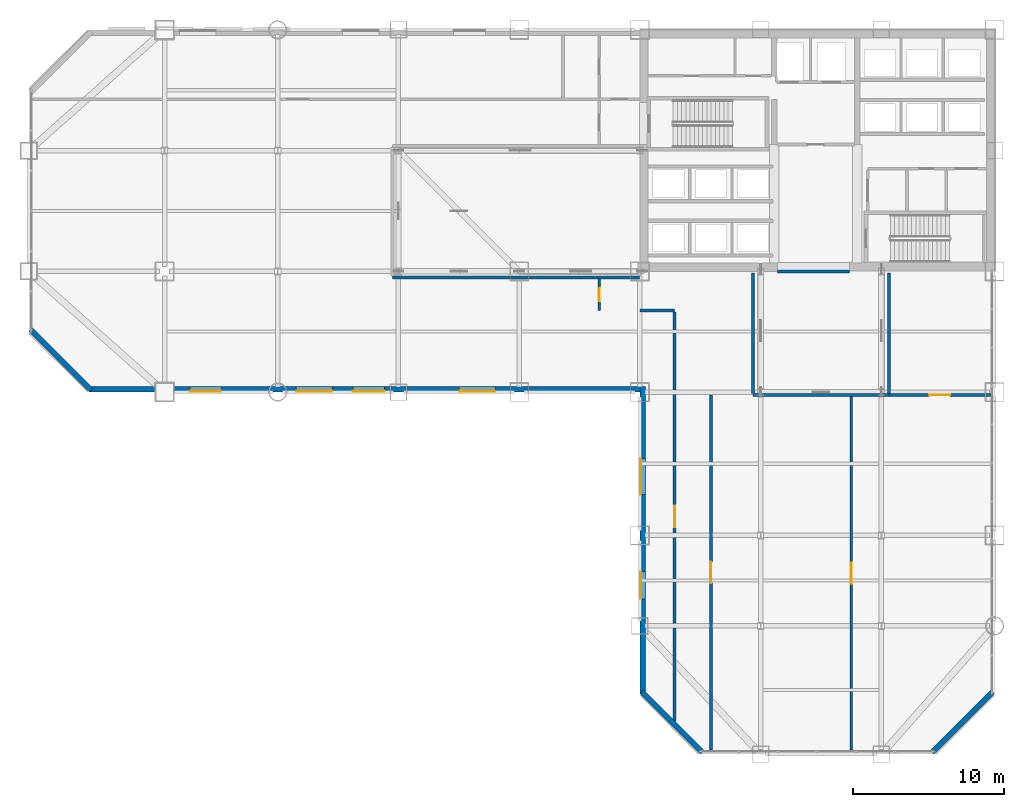
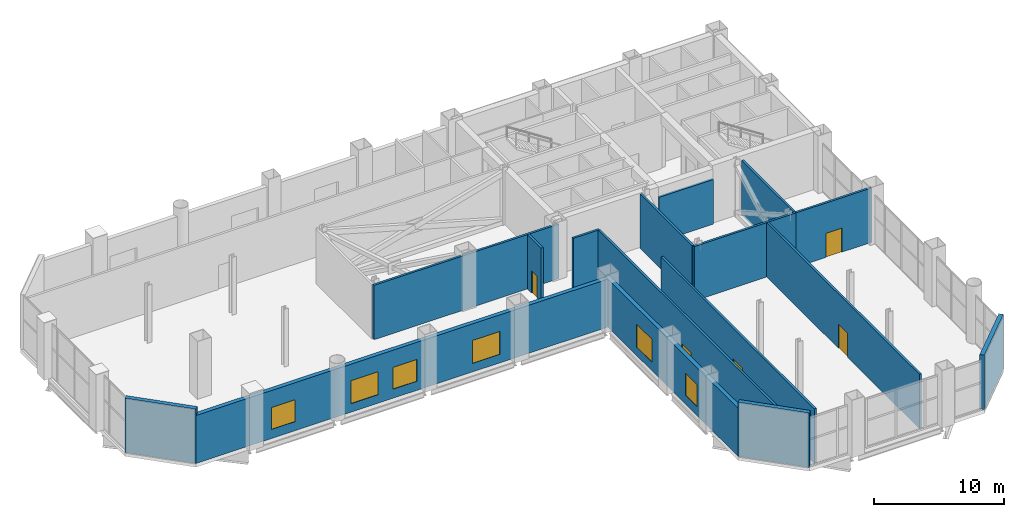
# One storey, part 22 of 26: 16 walls, 6 windows, 5 doors, 11 openings.
"""IFC4 building model written with IfcOpenShell, lengths in metres."""

from ifc_helpers import new_model, si_unit, direction, frame, frame_2d, origin, place, context, subcontext, project, spatial, rectangle, extrude, material, layer, layer_set, type_object, element, fill, save


model = new_model("IFC4")

# Units and contexts
model_context = context("Model", 3, precision=1e-05, world=origin(), true_north=direction((0.0, 1.0)))
body_context = subcontext(model_context, "Body", "Model", "MODEL_VIEW")
ifc_project = project(units=[si_unit("LENGTHUNIT", "METRE"), si_unit("AREAUNIT", "SQUARE_METRE"), si_unit("VOLUMEUNIT", "CUBIC_METRE"), si_unit("PLANEANGLEUNIT", "RADIAN"), si_unit("MASSUNIT", "GRAM", prefix="KILO")], contexts=[model_context])

# Site, building, storey
site_placement = place(None, origin())
site = spatial("IfcSite", under=ifc_project, at=site_placement, CompositionType="ELEMENT")
building_placement = place(site_placement, origin())
building = spatial("IfcBuilding", under=site, at=building_placement, Name="Qianrong Seaharbour Tower", CompositionType="ELEMENT")
storey_placement = place(building_placement, frame((0.0, 0.0, 108.199951171875)))
storey = spatial("IfcBuildingStorey", under=building, at=storey_placement, Name="L26", CompositionType="ELEMENT", Elevation=108.199951171875)

# Wall, openings, windows
ifc_material_1 = material(Name="Unitised red brick on Precast concrete C45/55", Category="masonry")
ifc_layer_1 = layer(ifc_material_1, 0.360107421875)
ifc_layer_set_1 = layer_set([ifc_layer_1], Name="Unitised red brick on Precast concrete C45/55")
wall_type_1 = type_object("IfcWallType", Name="WALL-EXT-BRICK-RED-360", PredefinedType="SOLIDWALL", material=ifc_layer_set_1)
wall_1_placement = place(storey_placement, frame((40.679931640625, 8.0, 0.0), z_axis=(0.0, 0.0, 1.0), x_axis=(0.0, 1.0, 0.0)))
wall_1 = element("IfcWall", 1, at=wall_1_placement, inside=storey, type_object=wall_type_1, Name="L26 Exterior Masonry Facade Wall REENTRANT_WEST", PredefinedType="SOLIDWALL", context=body_context, shape_type="SweptSolid", body=[
    extrude(rectangle(XDim=20.360107421875, YDim=0.360107421875, at=frame_2d((10.18017578125, 0.0))), origin(), (0.0, 0.0, 1.0), 4.5),
])
opening_1_placement = place(wall_1_placement, frame((6.300048828125, 0.0, 0.85009765625)))
opening_1 = element("IfcOpeningElement", 2, at=opening_1_placement, cuts=wall_1, Name="Opening WN-05", PredefinedType="OPENING", context=body_context, shape_type="SweptSolid", body=[
    extrude(rectangle(XDim=1.800048828125, YDim=2.050048828125, at=frame_2d((0.89990234375, 1.02490234375))), frame((0.0, 0.18994140625, 0.0), z_axis=(0.0, -1.0, 0.0), x_axis=(1.0, 0.0, 0.0)), (0.0, 0.0, 1.0), 0.380126953125),
])
opening_2_placement = place(wall_1_placement, frame((13.199951171875, 0.0, 0.800048828125)))
opening_2 = element("IfcOpeningElement", 3, at=opening_2_placement, cuts=wall_1, Name="Opening WN-07", PredefinedType="OPENING", context=body_context, shape_type="SweptSolid", body=[
    extrude(rectangle(XDim=2.39990234375, YDim=2.14990234375, at=frame_2d((1.199951171875, 1.074951171875))), frame((0.0, 0.18994140625, 0.0), z_axis=(0.0, -1.0, 0.0), x_axis=(1.0, 0.0, 0.0)), (0.0, 0.0, 1.0), 0.380126953125),
])
ifc_material_2 = material(Name="Insulated low-e double glazing in thermally broken aluminium 6063-T6 frame", Category="aluminium")
window_type_1 = type_object("IfcWindowType", Name="WIN-PUNCH-1800x2050", PartitioningType="TRIPLE_PANEL_VERTICAL", PredefinedType="WINDOW", material=ifc_material_2)
window_1_placement = place(opening_1_placement, origin())
window_1 = element("IfcWindow", 4, at=window_1_placement, inside=storey, type_object=window_type_1, Name="L26 Deep-Set Punched Window 00.02", OverallHeight=2.050048828125, OverallWidth=1.800048828125, PartitioningType="TRIPLE_PANEL_VERTICAL", PredefinedType="WINDOW", context=body_context, shape_type="SweptSolid", body=[
    extrude(rectangle(XDim=1.800048828125, YDim=2.050048828125, at=frame_2d((0.89990234375, 1.02490234375))), frame((0.0, 0.150146484375, 0.0), z_axis=(0.0, -1.0, 0.0), x_axis=(1.0, 0.0, 0.0)), (0.0, 0.0, 1.0), 0.06005859375),
])
fill(opening_1, window_1)
window_type_2 = type_object("IfcWindowType", Name="WIN-PUNCH-2400x2150", PartitioningType="TRIPLE_PANEL_VERTICAL", PredefinedType="WINDOW", material=ifc_material_2)
window_2_placement = place(opening_2_placement, origin())
window_2 = element("IfcWindow", 5, at=window_2_placement, inside=storey, type_object=window_type_2, Name="L26 Deep-Set Punched Window 00.04", OverallHeight=2.14990234375, OverallWidth=2.39990234375, PartitioningType="TRIPLE_PANEL_VERTICAL", PredefinedType="WINDOW", context=body_context, shape_type="SweptSolid", body=[
    extrude(rectangle(XDim=2.39990234375, YDim=2.14990234375, at=frame_2d((1.199951171875, 1.074951171875))), frame((0.0, 0.150146484375, 0.0), z_axis=(0.0, -1.0, 0.0), x_axis=(1.0, 0.0, 0.0)), (0.0, 0.0, 1.0), 0.06005859375),
])
fill(opening_2, window_2)

wall_2_placement = place(storey_placement, frame((40.52001953125, 28.179931640625, 0.0), z_axis=(0.0, 0.0, 1.0), x_axis=(-1.0, 0.0, 0.0)))
wall_2 = element("IfcWall", 6, at=wall_2_placement, inside=storey, type_object=wall_type_1, Name="L26 Exterior Masonry Facade Wall HARBOUR_RIBBON", PredefinedType="SOLIDWALL", context=body_context, shape_type="SweptSolid", body=[
    extrude(rectangle(XDim=36.52001953125, YDim=0.360107421875, at=frame_2d((18.260009765625, 0.0))), origin(), (0.0, 0.0, 1.0), 4.5),
])
opening_3_placement = place(wall_2_placement, frame((9.60009765625, 0.0, 0.800048828125)))
opening_3 = element("IfcOpeningElement", 7, at=opening_3_placement, cuts=wall_2, Name="Opening WN-07", PredefinedType="OPENING", context=body_context, shape_type="SweptSolid", body=[
    extrude(rectangle(XDim=2.39990234375, YDim=2.14990234375, at=frame_2d((1.199951171875, 1.074951171875))), frame((0.0, 0.18994140625, 0.0), z_axis=(0.0, -1.0, 0.0), x_axis=(1.0, 0.0, 0.0)), (0.0, 0.0, 1.0), 0.380126953125),
])
opening_4_placement = place(wall_2_placement, frame((16.949951171875, 0.0, 0.85009765625)))
opening_4 = element("IfcOpeningElement", 8, at=opening_4_placement, cuts=wall_2, Name="Opening WN-06", PredefinedType="OPENING", context=body_context, shape_type="SweptSolid", body=[
    extrude(rectangle(XDim=2.10009765625, YDim=2.050048828125, at=frame_2d((1.050048828125, 1.02490234375))), frame((0.0, 0.18994140625, 0.0), z_axis=(0.0, -1.0, 0.0), x_axis=(1.0, 0.0, 0.0)), (0.0, 0.0, 1.0), 0.380126953125),
])
opening_5_placement = place(wall_2_placement, frame((20.39990234375, 0.0, 0.800048828125)))
opening_5 = element("IfcOpeningElement", 9, at=opening_5_placement, cuts=wall_2, Name="Opening WN-07", PredefinedType="OPENING", context=body_context, shape_type="SweptSolid", body=[
    extrude(rectangle(XDim=2.39990234375, YDim=2.14990234375, at=frame_2d((1.199951171875, 1.074951171875))), frame((0.0, 0.18994140625, 0.0), z_axis=(0.0, -1.0, 0.0), x_axis=(1.0, 0.0, 0.0)), (0.0, 0.0, 1.0), 0.380126953125),
])
opening_6_placement = place(wall_2_placement, frame((27.75, 0.0, 0.85009765625)))
opening_6 = element("IfcOpeningElement", 10, at=opening_6_placement, cuts=wall_2, Name="Opening WN-06", PredefinedType="OPENING", context=body_context, shape_type="SweptSolid", body=[
    extrude(rectangle(XDim=2.10009765625, YDim=2.050048828125, at=frame_2d((1.050048828125, 1.02490234375))), frame((0.0, 0.18994140625, 0.0), z_axis=(0.0, -1.0, 0.0), x_axis=(1.0, 0.0, 0.0)), (0.0, 0.0, 1.0), 0.380126953125),
])
window_type_3 = type_object("IfcWindowType", Name="WIN-PUNCH-2100x2050", PartitioningType="TRIPLE_PANEL_VERTICAL", PredefinedType="WINDOW", material=ifc_material_2)
window_3_placement = place(opening_4_placement, origin())
window_3 = element("IfcWindow", 11, at=window_3_placement, inside=storey, type_object=window_type_3, Name="L26 Deep-Set Punched Window 01.05", OverallHeight=2.050048828125, OverallWidth=2.10009765625, PartitioningType="TRIPLE_PANEL_VERTICAL", PredefinedType="WINDOW", context=body_context, shape_type="SweptSolid", body=[
    extrude(rectangle(XDim=2.10009765625, YDim=2.050048828125, at=frame_2d((1.050048828125, 1.02490234375))), frame((0.0, 0.150146484375, 0.0), z_axis=(0.0, -1.0, 0.0), x_axis=(1.0, 0.0, 0.0)), (0.0, 0.0, 1.0), 0.06005859375),
])
fill(opening_4, window_3)
window_4_placement = place(opening_6_placement, origin())
window_4 = element("IfcWindow", 12, at=window_4_placement, inside=storey, type_object=window_type_3, Name="L26 Deep-Set Punched Window 01.08", OverallHeight=2.050048828125, OverallWidth=2.10009765625, PartitioningType="TRIPLE_PANEL_VERTICAL", PredefinedType="WINDOW", context=body_context, shape_type="SweptSolid", body=[
    extrude(rectangle(XDim=2.10009765625, YDim=2.050048828125, at=frame_2d((1.050048828125, 1.02490234375))), frame((0.0, 0.150146484375, 0.0), z_axis=(0.0, -1.0, 0.0), x_axis=(1.0, 0.0, 0.0)), (0.0, 0.0, 1.0), 0.06005859375),
])
fill(opening_6, window_4)
window_5_placement = place(opening_3_placement, origin())
window_5 = element("IfcWindow", 13, at=window_5_placement, inside=storey, type_object=window_type_2, Name="L26 Deep-Set Punched Window 01.03", OverallHeight=2.14990234375, OverallWidth=2.39990234375, PartitioningType="TRIPLE_PANEL_VERTICAL", PredefinedType="WINDOW", context=body_context, shape_type="SweptSolid", body=[
    extrude(rectangle(XDim=2.39990234375, YDim=2.14990234375, at=frame_2d((1.199951171875, 1.074951171875))), frame((0.0, 0.150146484375, 0.0), z_axis=(0.0, -1.0, 0.0), x_axis=(1.0, 0.0, 0.0)), (0.0, 0.0, 1.0), 0.06005859375),
])
fill(opening_3, window_5)
window_6_placement = place(opening_5_placement, origin())
window_6 = element("IfcWindow", 14, at=window_6_placement, inside=storey, type_object=window_type_2, Name="L26 Deep-Set Punched Window 01.06", OverallHeight=2.14990234375, OverallWidth=2.39990234375, PartitioningType="TRIPLE_PANEL_VERTICAL", PredefinedType="WINDOW", context=body_context, shape_type="SweptSolid", body=[
    extrude(rectangle(XDim=2.39990234375, YDim=2.14990234375, at=frame_2d((1.199951171875, 1.074951171875))), frame((0.0, 0.150146484375, 0.0), z_axis=(0.0, -1.0, 0.0), x_axis=(1.0, 0.0, 0.0)), (0.0, 0.0, 1.0), 0.06005859375),
])
fill(opening_5, window_6)

# Walls
for number, where, z_axis, x_axis, name in (
    (15, (4.127197265625, 28.127197265625, 0.0), (0.0, 0.0, 1.0), (-0.707106781187, 0.707106781187, 0.0), "L26 Exterior Masonry Facade Wall E02"),
    (16, (63.872802734375, 8.127197265625, 0.0), (0.0, 0.0, 1.0), (-0.707106781187, -0.707106781187, 0.0), "L26 Exterior Masonry Facade Wall E07"),
    (17, (44.627197265625, 4.127197265625, 0.0), (0.0, 0.0, 1.0), (-0.707106781187, 0.707106781187, 0.0), "L26 Exterior Masonry Facade Wall E09"),
):
    element("IfcWall", number, at=place(storey_placement, frame(where, z_axis=z_axis, x_axis=x_axis)), inside=storey, type_object=wall_type_1, Name=name, PredefinedType="SOLIDWALL", context=body_context, shape_type="SweptSolid", body=[
        extrude(rectangle(XDim=5.65673828125, YDim=0.360107421875, at=frame_2d((2.828369140625, 0.0))), origin(), (0.0, 0.0, 1.0), 5.10009765625),
    ])
ifc_material_3 = material(Name="Double fire-rated gypsum board acoustic partition")
ifc_layer_2 = layer(ifc_material_3, 0.18994140625)
ifc_layer_set_2 = layer_set([ifc_layer_2], Name="Double fire-rated gypsum board acoustic partition")
wall_type_2 = type_object("IfcWallType", Name="WALL-FIRE-PART-190", PredefinedType="PARTITIONING", material=ifc_layer_set_2)
wall_3_placement = place(storey_placement, frame((40.47998046875, 35.60009765625, 0.0), z_axis=(0.0, 0.0, 1.0), x_axis=(-1.0, 0.0, 0.0)))
element("IfcWall", 18, at=wall_3_placement, inside=storey, type_object=wall_type_2, Name="L26 Outrigger Truss Zone Fire Enclosure Wall S", PredefinedType="PARTITIONING", context=body_context, shape_type="SweptSolid", body=[
    extrude(rectangle(XDim=16.3798828125, YDim=0.18994140625, at=frame_2d((8.18994140625, 0.0))), origin(), (0.0, 0.0, 1.0), 5.10009765625),
])
wall_4_placement = place(storey_placement, frame((49.60009765625, 35.97998046875, 0.0), z_axis=(0.0, 0.0, 1.0), x_axis=(1.0, 0.0, 0.0)))
element("IfcWall", 19, at=wall_4_placement, inside=storey, type_object=wall_type_2, Name="L26 Outrigger Truss Zone Fire Enclosure Wall N", PredefinedType="PARTITIONING", context=body_context, shape_type="SweptSolid", body=[
    extrude(rectangle(XDim=4.7998046875, YDim=0.18994140625, at=frame_2d((2.39990234375, 0.0))), origin(), (0.0, 0.0, 1.0), 4.192138671875),
])
wall_5_placement = place(storey_placement, frame((57.0, 27.800048828125, 0.0), z_axis=(0.0, 0.0, 1.0), x_axis=(-1.0, 0.0, 0.0)))
element("IfcWall", 20, at=wall_5_placement, inside=storey, type_object=wall_type_2, Name="L26 Outrigger Truss Zone Fire Enclosure Wall S", PredefinedType="PARTITIONING", context=body_context, shape_type="SweptSolid", body=[
    extrude(rectangle(XDim=9.0, YDim=0.18994140625, at=frame_2d((4.5, 0.0))), origin(), (0.0, 0.0, 1.0), 5.10009765625),
])
for number, where, z_axis, x_axis, name in (
    (21, (48.0, 27.89501953125, 0.0), (0.0, 0.0, 1.0), (0.0, 1.0, 0.0), "L26 Outrigger Truss Zone Fire Enclosure Wall W"),
    (22, (57.0, 35.885009765625, 0.0), (0.0, 0.0, 1.0), (0.0, -1.0, 0.0), "L26 Outrigger Truss Zone Fire Enclosure Wall E"),
):
    element("IfcWall", number, at=place(storey_placement, frame(where, z_axis=z_axis, x_axis=x_axis)), inside=storey, type_object=wall_type_2, Name=name, PredefinedType="PARTITIONING", context=body_context, shape_type="SweptSolid", body=[
        extrude(rectangle(XDim=7.989990234375, YDim=0.18994140625, at=frame_2d((3.9951171875, 0.0))), origin(), (0.0, 0.0, 1.0), 5.10009765625),
    ])

# Wall, opening, door
wall_6_placement = place(storey_placement, frame((37.800048828125, 35.512939453125, 0.0), z_axis=(0.0, 0.0, 1.0), x_axis=(0.0, -1.0, 0.0)))
wall_6 = element("IfcWall", 23, at=wall_6_placement, inside=storey, type_object=wall_type_2, Name="L26 Interior Partition Wall 016", PredefinedType="PARTITIONING", context=body_context, shape_type="SweptSolid", body=[
    extrude(rectangle(XDim=2.113037109375, YDim=0.18994140625, at=frame_2d((1.056640625, 0.0))), origin(), (0.0, 0.0, 1.0), 5.10009765625),
])
opening_7_placement = place(wall_6_placement, frame((0.62646484375, 0.0, 0.0)))
opening_7 = element("IfcOpeningElement", 24, at=opening_7_placement, cuts=wall_6, Name="Opening DU-01", PredefinedType="OPENING", context=body_context, shape_type="SweptSolid", body=[
    extrude(rectangle(XDim=0.860107421875, YDim=2.10009765625, at=frame_2d((0.43017578125, 1.050048828125))), frame((0.0, 0.10498046875, 0.0), z_axis=(0.0, -1.0, 0.0), x_axis=(1.0, 0.0, 0.0)), (0.0, 0.0, 1.0), 0.2099609375),
])
ifc_material_4 = material(Name="Acoustic timber and galvanized steel fire door assembly", Category="steel")
door_type_1 = type_object("IfcDoorType", Name="DOOR-UTIL-860x2100", OperationType="NOTDEFINED", PredefinedType="DOOR", material=ifc_material_4)
door_1_placement = place(opening_7_placement, origin())
door_1 = element("IfcDoor", 25, at=door_1_placement, inside=storey, type_object=door_type_1, Name="L26 Fire Refuge Area Door", OperationType="SINGLE_SWING_RIGHT", OverallHeight=2.10009765625, OverallWidth=0.860107421875, PredefinedType="DOOR", context=body_context, shape_type="SweptSolid", body=[
    extrude(rectangle(XDim=0.860107421875, YDim=2.10009765625, at=frame_2d((0.43017578125, 1.050048828125))), frame((0.0, 0.02490234375, 0.0), z_axis=(0.0, -1.0, 0.0), x_axis=(1.0, 0.0, 0.0)), (0.0, 0.0, 1.0), 0.050048828125),
])
fill(opening_7, door_1)

# Wall
wall_7_placement = place(storey_placement, frame((42.800048828125, 33.39990234375, 0.0), z_axis=(0.0, 0.0, 1.0), x_axis=(-1.0, 0.0, 0.0)))
element("IfcWall", 26, at=wall_7_placement, inside=storey, type_object=wall_type_2, Name="L26 Interior Partition Wall 018", PredefinedType="PARTITIONING", context=body_context, shape_type="SweptSolid", body=[
    extrude(rectangle(XDim=2.300048828125, YDim=0.18994140625, at=frame_2d((1.14990234375, 0.0))), origin(), (0.0, 0.0, 1.0), 5.10009765625),
])

# Wall, opening, door
wall_8_placement = place(storey_placement, frame((45.199951171875, 27.800048828125, 0.0), z_axis=(0.0, 0.0, 1.0), x_axis=(0.0, -1.0, 0.0)))
wall_8 = element("IfcWall", 27, at=wall_8_placement, inside=storey, type_object=wall_type_2, Name="L26 Interior Partition Wall 019", PredefinedType="PARTITIONING", context=body_context, shape_type="SweptSolid", body=[
    extrude(rectangle(XDim=23.51806640625, YDim=0.18994140625, at=frame_2d((11.759033203125, 0.0))), origin(), (0.0, 0.0, 1.0), 5.10009765625),
])
opening_8_placement = place(wall_8_placement, frame((11.05908203125, 0.0, 0.0)))
opening_8 = element("IfcOpeningElement", 28, at=opening_8_placement, cuts=wall_8, Name="Opening DP-01", PredefinedType="OPENING", context=body_context, shape_type="SweptSolid", body=[
    extrude(rectangle(XDim=1.39990234375, YDim=2.25, at=frame_2d((0.699951171875, 1.125))), frame((0.0, 0.10498046875, 0.0), z_axis=(0.0, -1.0, 0.0), x_axis=(1.0, 0.0, 0.0)), (0.0, 0.0, 1.0), 0.2099609375),
])
door_type_2 = type_object("IfcDoorType", Name="DOOR-PLANT-PAIR-1400x2250", OperationType="DOUBLE_DOOR_SINGLE_SWING", PredefinedType="DOOR", material=ifc_material_4)
door_2_placement = place(opening_8_placement, origin())
door_2 = element("IfcDoor", 29, at=door_2_placement, inside=storey, type_object=door_type_2, Name="L26 Air Handling Fan Room Door", OperationType="DOUBLE_DOOR_SINGLE_SWING", OverallHeight=2.25, OverallWidth=1.39990234375, PredefinedType="DOOR", context=body_context, shape_type="SweptSolid", body=[
    extrude(rectangle(XDim=1.39990234375, YDim=2.25, at=frame_2d((0.699951171875, 1.125))), frame((0.0, 0.02490234375, 0.0), z_axis=(0.0, -1.0, 0.0), x_axis=(1.0, 0.0, 0.0)), (0.0, 0.0, 1.0), 0.050048828125),
])
fill(opening_8, door_2)

wall_9_placement = place(storey_placement, frame((42.800048828125, 6.19775390625, 0.0), z_axis=(0.0, 0.0, 1.0), x_axis=(0.0, 1.0, 0.0)))
wall_9 = element("IfcWall", 30, at=wall_9_placement, inside=storey, type_object=wall_type_2, Name="L26 Interior Partition Wall 020", PredefinedType="PARTITIONING", context=body_context, shape_type="SweptSolid", body=[
    extrude(rectangle(XDim=27.115234375, YDim=0.18994140625, at=frame_2d((13.5576171875, 0.0))), origin(), (0.0, 0.0, 1.0), 5.10009765625),
])
opening_9_placement = place(wall_9_placement, frame((12.857666015625, 0.0, 0.0)))
opening_9 = element("IfcOpeningElement", 31, at=opening_9_placement, cuts=wall_9, Name="Opening DP-01", PredefinedType="OPENING", context=body_context, shape_type="SweptSolid", body=[
    extrude(rectangle(XDim=1.39990234375, YDim=2.25, at=frame_2d((0.699951171875, 1.125))), frame((0.0, 0.10498046875, 0.0), z_axis=(0.0, -1.0, 0.0), x_axis=(1.0, 0.0, 0.0)), (0.0, 0.0, 1.0), 0.2099609375),
])
door_3_placement = place(opening_9_placement, origin())
door_3 = element("IfcDoor", 32, at=door_3_placement, inside=storey, type_object=door_type_2, Name="L26 Electrical Substation Door", OperationType="DOUBLE_DOOR_SINGLE_SWING", OverallHeight=2.25, OverallWidth=1.39990234375, PredefinedType="DOOR", context=body_context, shape_type="SweptSolid", body=[
    extrude(rectangle(XDim=1.39990234375, YDim=2.25, at=frame_2d((0.699951171875, 1.125))), frame((0.0, 0.02490234375, 0.0), z_axis=(0.0, -1.0, 0.0), x_axis=(1.0, 0.0, 0.0)), (0.0, 0.0, 1.0), 0.050048828125),
])
fill(opening_9, door_3)

wall_10_placement = place(storey_placement, frame((54.5, 27.712890625, 0.0), z_axis=(0.0, 0.0, 1.0), x_axis=(0.0, -1.0, 0.0)))
wall_10 = element("IfcWall", 33, at=wall_10_placement, inside=storey, type_object=wall_type_2, Name="L26 Interior Partition Wall 021", PredefinedType="PARTITIONING", context=body_context, shape_type="SweptSolid", body=[
    extrude(rectangle(XDim=23.430908203125, YDim=0.18994140625, at=frame_2d((11.71533203125, 0.0))), origin(), (0.0, 0.0, 1.0), 5.10009765625),
])
opening_10_placement = place(wall_10_placement, frame((11.015380859375, 0.0, 0.0)))
opening_10 = element("IfcOpeningElement", 34, at=opening_10_placement, cuts=wall_10, Name="Opening DP-01", PredefinedType="OPENING", context=body_context, shape_type="SweptSolid", body=[
    extrude(rectangle(XDim=1.39990234375, YDim=2.25, at=frame_2d((0.699951171875, 1.125))), frame((0.0, 0.10498046875, 0.0), z_axis=(0.0, -1.0, 0.0), x_axis=(1.0, 0.0, 0.0)), (0.0, 0.0, 1.0), 0.2099609375),
])
door_4_placement = place(opening_10_placement, origin())
door_4 = element("IfcDoor", 35, at=door_4_placement, inside=storey, type_object=door_type_2, Name="L26 Fire Water Tank Room Door", OperationType="DOUBLE_DOOR_SINGLE_SWING", OverallHeight=2.25, OverallWidth=1.39990234375, PredefinedType="DOOR", context=body_context, shape_type="SweptSolid", body=[
    extrude(rectangle(XDim=1.39990234375, YDim=2.25, at=frame_2d((0.699951171875, 1.125))), frame((0.0, 0.02490234375, 0.0), z_axis=(0.0, -1.0, 0.0), x_axis=(1.0, 0.0, 0.0)), (0.0, 0.0, 1.0), 0.050048828125),
])
fill(opening_10, door_4)

wall_11_placement = place(storey_placement, frame((57.0, 27.800048828125, 0.0), z_axis=(0.0, 0.0, 1.0), x_axis=(1.0, 0.0, 0.0)))
wall_11 = element("IfcWall", 36, at=wall_11_placement, inside=storey, type_object=wall_type_2, Name="L26 Interior Partition Wall 022", PredefinedType="PARTITIONING", context=body_context, shape_type="SweptSolid", body=[
    extrude(rectangle(XDim=6.718017578125, YDim=0.18994140625, at=frame_2d((3.35888671875, 0.0))), origin(), (0.0, 0.0, 1.0), 5.10009765625),
])
opening_11_placement = place(wall_11_placement, frame((2.658935546875, 0.0, 0.0)))
opening_11 = element("IfcOpeningElement", 37, at=opening_11_placement, cuts=wall_11, Name="Opening DP-01", PredefinedType="OPENING", context=body_context, shape_type="SweptSolid", body=[
    extrude(rectangle(XDim=1.39990234375, YDim=2.25, at=frame_2d((0.699951171875, 1.125))), frame((0.0, 0.10498046875, 0.0), z_axis=(0.0, -1.0, 0.0), x_axis=(1.0, 0.0, 0.0)), (0.0, 0.0, 1.0), 0.2099609375),
])
door_5_placement = place(opening_11_placement, origin())
door_5 = element("IfcDoor", 38, at=door_5_placement, inside=storey, type_object=door_type_2, Name="L26 Mechanical Plant Room Door", OperationType="DOUBLE_DOOR_SINGLE_SWING", OverallHeight=2.25, OverallWidth=1.39990234375, PredefinedType="DOOR", context=body_context, shape_type="SweptSolid", body=[
    extrude(rectangle(XDim=1.39990234375, YDim=2.25, at=frame_2d((0.699951171875, 1.125))), frame((0.0, 0.02490234375, 0.0), z_axis=(0.0, -1.0, 0.0), x_axis=(1.0, 0.0, 0.0)), (0.0, 0.0, 1.0), 0.050048828125),
])
fill(opening_11, door_5)

save(model, "model.ifc")
